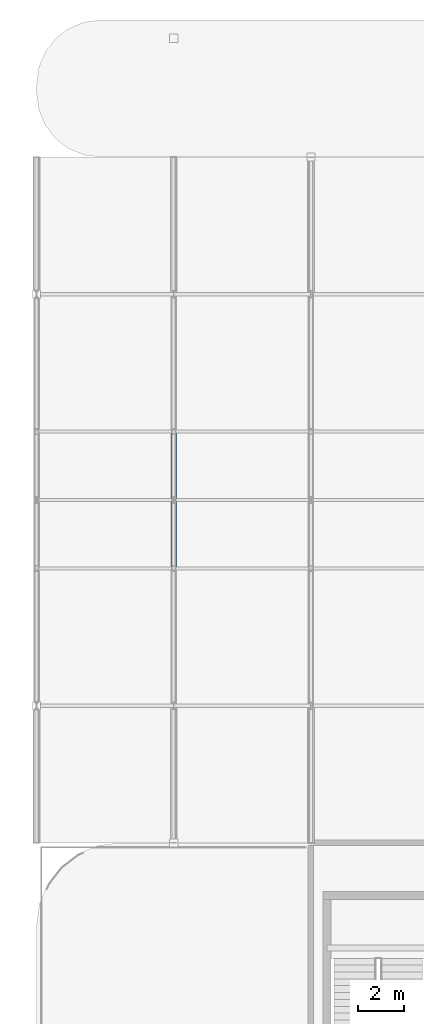
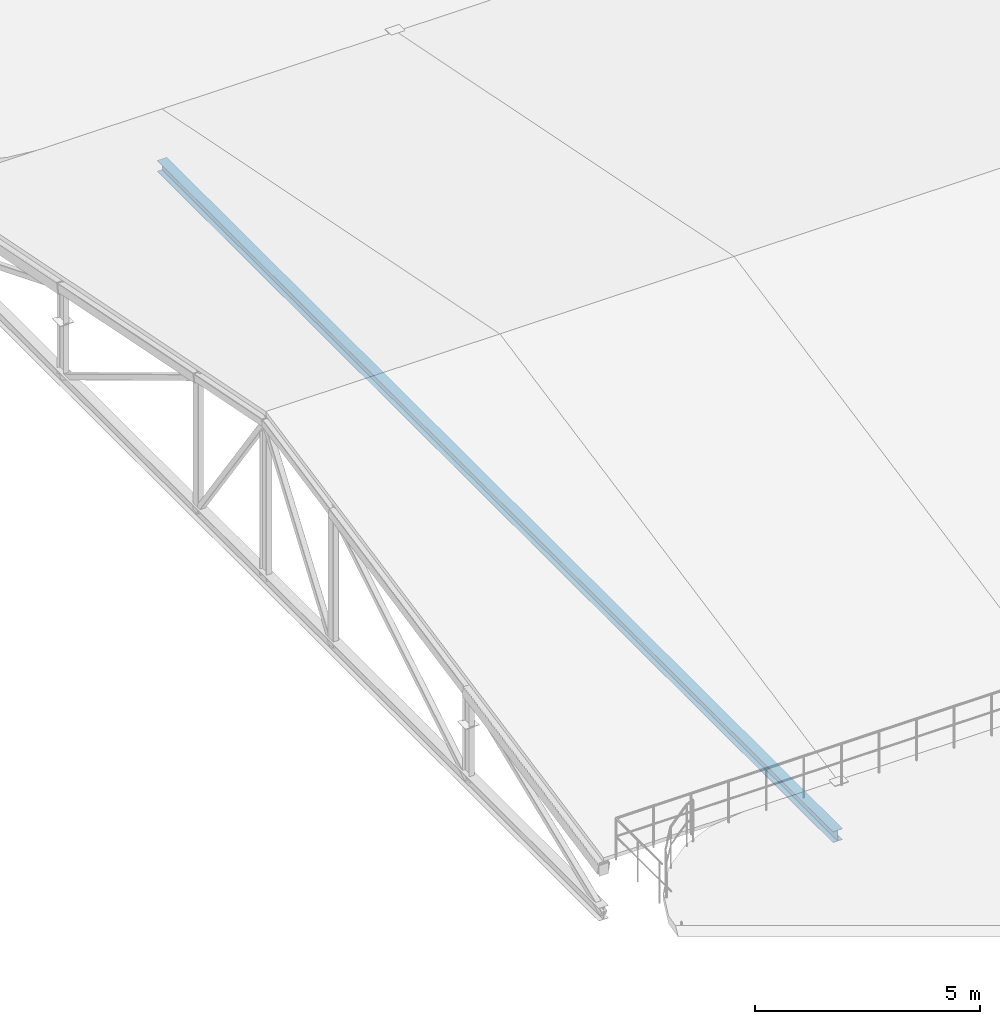
# One storey, part 24 of 83: 1 member.
"""IFC4 building model written with IfcOpenShell, lengths in metres."""

from ifc_helpers import new_model, si_unit, direction, frame, origin, origin_2d, place, context, subcontext, project, spatial, i_section, extrude, material, material_profile, profile_set, type_object, element, save


model = new_model("IFC4")

# Units and contexts
model_context = context("Model", 3, precision=1e-05, world=origin(), true_north=direction((0.0, 1.0)))
body_context = subcontext(model_context, "Body", "Model", "MODEL_VIEW")
ifc_project = project(units=[si_unit("LENGTHUNIT", "METRE"), si_unit("AREAUNIT", "SQUARE_METRE"), si_unit("VOLUMEUNIT", "CUBIC_METRE"), si_unit("PLANEANGLEUNIT", "RADIAN"), si_unit("MASSUNIT", "GRAM", prefix="KILO")], contexts=[model_context])

# Site, building, storey
site_placement = place(None, origin())
site = spatial("IfcSite", under=ifc_project, at=site_placement, CompositionType="ELEMENT")
building_placement = place(site_placement, origin())
building = spatial("IfcBuilding", under=site, at=building_placement, Name="Varnakota Square Police Headquarters", CompositionType="ELEMENT")
storey_placement = place(building_placement, frame((0.0, 0.0, 18.0)))
storey = spatial("IfcBuildingStorey", under=building, at=storey_placement, Name="L04", CompositionType="ELEMENT", Elevation=18.0)

# Member
ifc_material = material(Name="Steel IS 2062 Grade 350", Category="steel")
ifc_material_profile = material_profile(ifc_material, i_section(OverallWidth=0.25, OverallDepth=0.300048828125, WebThickness=0.009521484375, FlangeThickness=0.010498046875, FilletRadius=0.011962890625, at=origin_2d()), Name="ISHB 300")
ifc_profile_set = profile_set([ifc_material_profile], Name="Steel IS 2062 Grade 350")
member_type = type_object("IfcMemberType", Name="MEM-TRCH-ISHB300", PredefinedType="CHORD", material=ifc_profile_set)
member_placement = place(storey_placement, frame((12.0, 75.0, -1.5), z_axis=(0.0, 1.0, 0.0), x_axis=(-1.0, 0.0, 0.0)))
element("IfcMember", 1, at=member_placement, inside=storey, type_object=member_type, Name="ROOF TRUSS bottom chord T2", PredefinedType="CHORD", context=body_context, shape_type="SweptSolid", body=[
    extrude(i_section(OverallWidth=0.25, OverallDepth=0.300048828125, WebThickness=0.009521484375, FlangeThickness=0.010498046875, FilletRadius=0.011962890625, at=origin_2d()), origin(), (0.0, 0.0, 1.0), 30.0),
])

save(model, "model.ifc")
